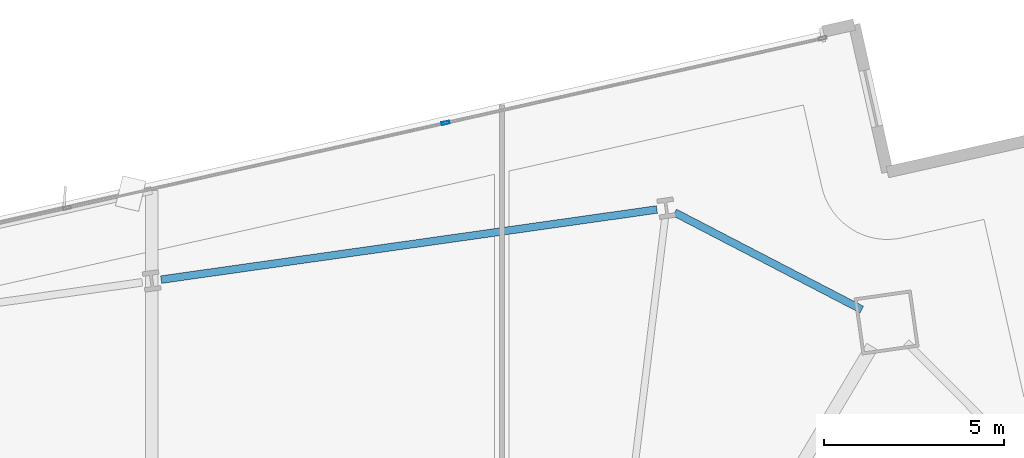
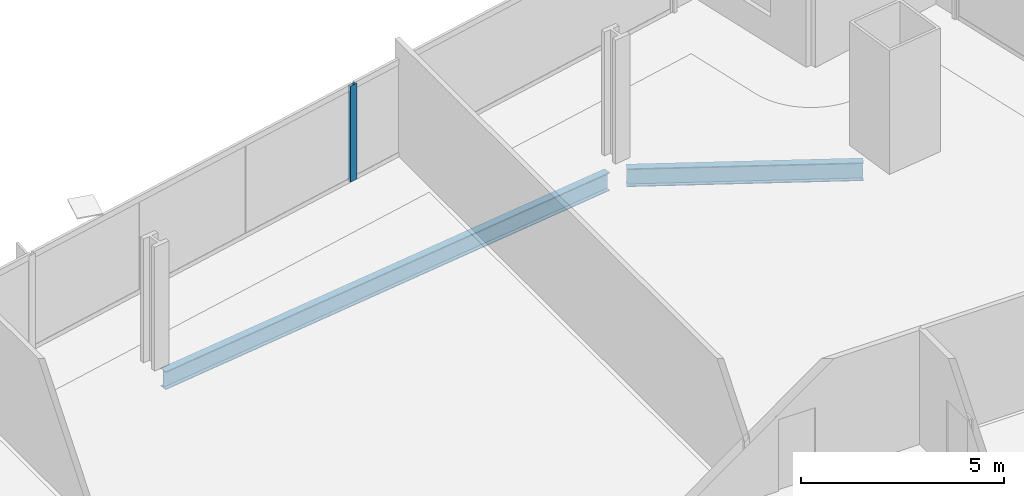
# One storey, part 20 of 32: 2 beams, 1 member, 1 element without a shape of its own.
"""IFC4 building model written with IfcOpenShell, lengths in metres."""

from ifc_helpers import new_model, si_unit, direction, frame, origin, origin_2d, place, context, subcontext, project, spatial, hollow_rectangle, i_section, extrude, material, material_profile, profile_set, type_object, element, aggregate, save


model = new_model("IFC4")

# Units and contexts
model_context = context("Model", 3, precision=1e-05, world=origin(), true_north=direction((0.0, 1.0)))
body_context = subcontext(model_context, "Body", "Model", "MODEL_VIEW")
ifc_project = project(units=[si_unit("LENGTHUNIT", "METRE"), si_unit("AREAUNIT", "SQUARE_METRE"), si_unit("VOLUMEUNIT", "CUBIC_METRE"), si_unit("PLANEANGLEUNIT", "RADIAN"), si_unit("MASSUNIT", "GRAM", prefix="KILO")], contexts=[model_context])

# Site, building, storey
site_placement = place(None, origin())
site = spatial("IfcSite", under=ifc_project, at=site_placement, CompositionType="ELEMENT")
building_placement = place(site_placement, origin())
building = spatial("IfcBuilding", under=site, at=building_placement, Name="Haldenkirk Collegiate Tower", CompositionType="ELEMENT")
storey_placement = place(building_placement, frame((0.0, 0.0, 70.199951171875)))
storey = spatial("IfcBuildingStorey", under=building, at=storey_placement, Name="L16", CompositionType="ELEMENT", Elevation=70.199951171875)

# Beams
ifc_material_1 = material(Name="Steel ASTM A992 Grade 50", Category="steel")
ifc_material_profile_1 = material_profile(ifc_material_1, i_section(OverallWidth=0.2119140625, OverallDepth=0.5439453125, WebThickness=0.01318359375, FlangeThickness=0.021240234375, at=origin_2d()), Name="W21X83")
ifc_profile_set_1 = profile_set([ifc_material_profile_1], Name="Steel ASTM A992 Grade 50")
beam_type = type_object("IfcBeamType", Name="BM-SPANDREL-W21X83", PredefinedType="SPANDREL", material=ifc_profile_set_1)
beam_1_placement = place(storey_placement, frame((52.4921875, 48.029296875, -0.58203125), z_axis=(-0.887648364794, 0.460521856678, 0.0), x_axis=(-0.460521856678, -0.887648364794, 0.0)))
element("IfcBeam", 1, at=beam_1_placement, inside=storey, type_object=beam_type, Name="L16 perimeter spandrel beam 09", PredefinedType="SPANDREL", context=body_context, shape_type="SweptSolid", body=[
    extrude(i_section(OverallWidth=0.2119140625, OverallDepth=0.5439453125, WebThickness=0.01318359375, FlangeThickness=0.021240234375, at=origin_2d()), origin(), (0.0, 0.0, 1.0), 5.848388671875),
])
beam_2_placement = place(storey_placement, frame((46.803955078125, 50.807373046875, -0.58203125), z_axis=(-0.990146197746, -0.14003752029, 0.0), x_axis=(0.14003752029, -0.990146197746, 0.0)))
element("IfcBeam", 2, at=beam_2_placement, inside=storey, type_object=beam_type, Name="L16 perimeter spandrel beam 10", PredefinedType="SPANDREL", context=body_context, shape_type="SweptSolid", body=[
    extrude(i_section(OverallWidth=0.2119140625, OverallDepth=0.5439453125, WebThickness=0.01318359375, FlangeThickness=0.021240234375, at=origin_2d()), origin(), (0.0, 0.0, 1.0), 13.906982421875),
])

# Curtain wall, member
ifc_material_2 = material(Name="Anodised architectural bronze aluminium", Category="aluminium")
curtain_wall_type = type_object("IfcCurtainWallType", Name="CW-SYS1-CONVEX-LOW", PredefinedType="USERDEFINED", material=ifc_material_2)
curtain_wall_placement = place(storey_placement, origin())
curtain_wall = element("IfcCurtainWall", 3, at=curtain_wall_placement, inside=storey, type_object=curtain_wall_type, Name="L16 Lower tower convex bronze-framed unitised curtain wall", ObjectType="UNITISED CURTAIN WALL", PredefinedType="USERDEFINED")
ifc_material_profile_2 = material_profile(ifc_material_2, hollow_rectangle(XDim=0.080078125, YDim=0.219970703125, WallThickness=0.0048828125, at=origin_2d()), Name="CW-MUL-1A")
ifc_profile_set_2 = profile_set([ifc_material_profile_2], Name="Anodised architectural bronze aluminium")
member_type = type_object("IfcMemberType", Name="CW-MUL-1A", PredefinedType="MULLION", material=ifc_profile_set_2)
member_placement = place(storey_placement, frame((40.935546875, 53.21142578125, 0.0), z_axis=(0.0, 0.0, 1.0), x_axis=(-0.218995787492, 0.975725804241, 0.0)))
member = element("IfcMember", 4, at=member_placement, type_object=member_type, Name="CW-1A mullion 4", PredefinedType="MULLION", context=body_context, shape_type="SweptSolid", body=[
    extrude(hollow_rectangle(XDim=0.080078125, YDim=0.219970703125, WallThickness=0.0048828125, at=origin_2d()), origin(), (0.0, 0.0, 1.0), 2.89111328125),
])
aggregate(curtain_wall, [member])

save(model, "model.ifc")
